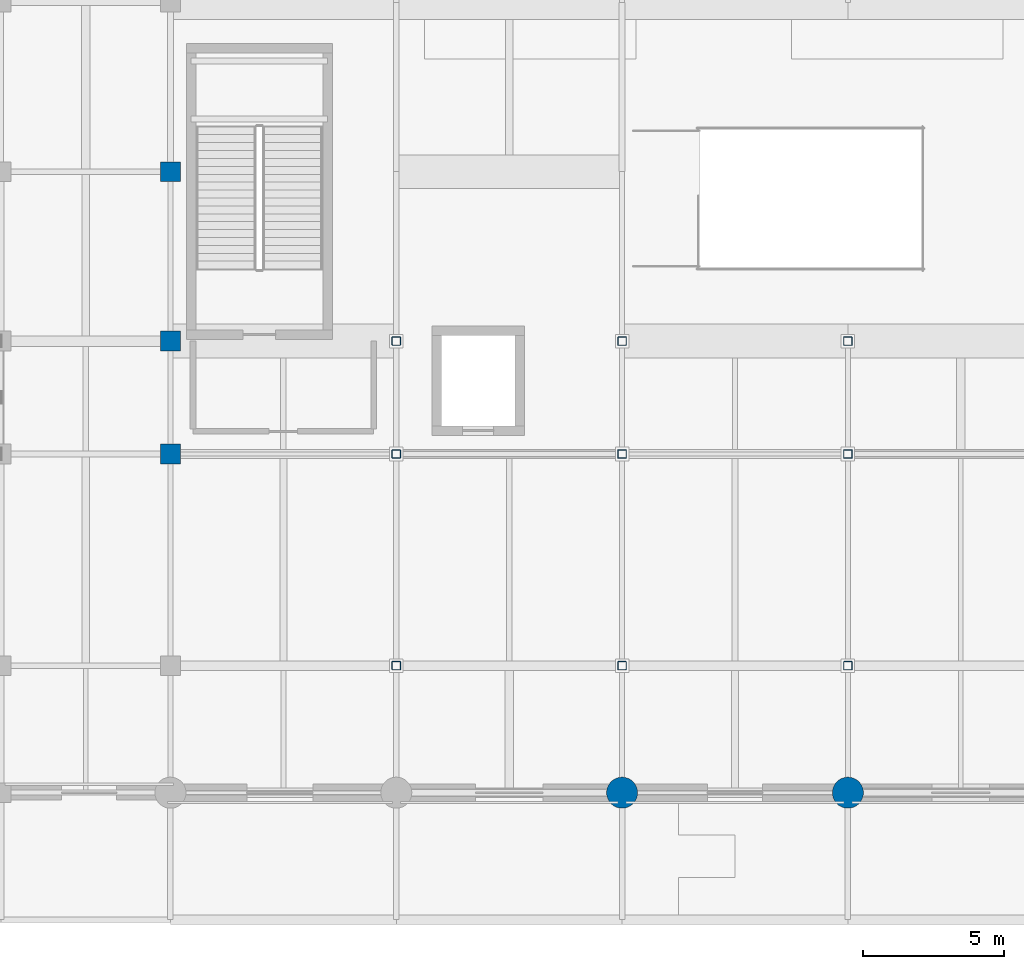
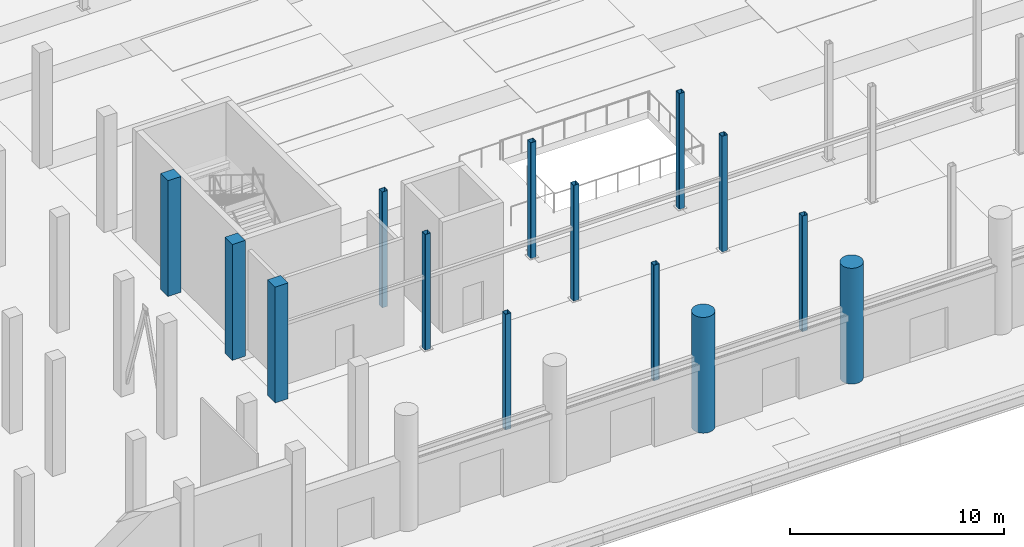
# One storey, part 2 of 140: 14 columns.
"""IFC4 building model written with IfcOpenShell, lengths in metres."""

import ifcopenshell
import ifcopenshell.guid

model = None  # the IFC model being written
_history = None  # IfcOwnerHistory: only IFC2X3 demands one
_inside = {}  # id of a spatial element -> (the spatial element, [elements in it])
_under = {}  # id of a project, library or spatial element -> (it, [spatial elements below it])
_declared = {}  # id of a project -> (the project, [libraries it declares])
_typed = {}  # id of a type object -> (the type object, [elements of that type])
_made_of = {}  # id of a material, layer set ... -> (it, [elements and type objects made of it])


def new_model(schema):
    """Start an empty IFC model of exactly this schema.

    Asked for "IFC4X3", IfcOpenShell would pick the latest addendum, in which some entities
    have other attributes; the version numbers below select the first issue.
    IFC2X3 requires an IfcOwnerHistory on every rooted entity: one is made here for all.
    """
    global model, _history
    if schema == "IFC4X3":
        model = ifcopenshell.file(schema_version=(4, 3, 0, 0))
    else:
        model = ifcopenshell.file(schema=schema)
    _inside.clear()
    _under.clear()
    _declared.clear()
    _typed.clear()
    _made_of.clear()
    _history = None
    if model.schema == "IFC2X3":
        org = make("IfcOrganization", Name="unknown")
        user = make(
            "IfcPersonAndOrganization",
            ThePerson=make("IfcPerson", FamilyName="unknown"),
            TheOrganization=org,
        )
        app = make(
            "IfcApplication",
            ApplicationDeveloper=org,
            Version="unknown",
            ApplicationFullName="unknown",
            ApplicationIdentifier="unknown",
        )
        _history = make(
            "IfcOwnerHistory",
            OwningUser=user,
            OwningApplication=app,
            ChangeAction="ADDED",
            CreationDate=0,
        )
    return model


def make(cls, **values):
    """One entity of the class cls with the attributes given. An attribute that is None is left unset."""
    return model.create_entity(
        cls, **{name: value for name, value in values.items() if value is not None}
    )


def rooted(cls, **values):
    """An entity with a GlobalId (a new one), such as an element, a storey or a relation."""
    return make(cls, GlobalId=ifcopenshell.guid.new(), OwnerHistory=_history, **values)


def si_unit(unit_type, name, prefix=None):
    """IfcSIUnit, for example si_unit("LENGTHUNIT", "METRE", prefix="MILLI")."""
    return make("IfcSIUnit", UnitType=unit_type, Prefix=prefix, Name=name)


def assignment(units):
    """IfcUnitAssignment: the units of a project."""
    return None if units is None else make("IfcUnitAssignment", Units=units)


def point(xyz):
    """IfcCartesianPoint."""
    return None if xyz is None else make("IfcCartesianPoint", Coordinates=xyz)


def direction(xyz):
    """IfcDirection."""
    return None if xyz is None else make("IfcDirection", DirectionRatios=xyz)


def frame(location, z_axis=None, x_axis=None):
    """IfcAxis2Placement3D, a coordinate frame: its origin and axes. An axis left out is left unset."""
    return make(
        "IfcAxis2Placement3D",
        Location=point(location),
        Axis=direction(z_axis),
        RefDirection=direction(x_axis),
    )


def frame_2d(location, x_axis=None):
    """IfcAxis2Placement2D, a coordinate frame in the plane: its origin and x axis."""
    return make(
        "IfcAxis2Placement2D", Location=point(location), RefDirection=direction(x_axis)
    )


def origin():
    """The frame at (0, 0, 0) with its axes left unset."""
    return frame((0.0, 0.0, 0.0))


def origin_2d():
    """The frame at (0, 0) in the plane with its x axis left unset."""
    return frame_2d((0.0, 0.0))


def place(relative_to, where):
    """IfcLocalPlacement: puts the frame where relative to a parent placement (None: the world)."""
    return make(
        "IfcLocalPlacement", PlacementRelTo=relative_to, RelativePlacement=where
    )


def context(
    kind, dimensions, precision=None, world=None, true_north=None, identifier=None
):
    """IfcGeometricRepresentationContext, for example the 3D "Model" context."""
    return make(
        "IfcGeometricRepresentationContext",
        ContextIdentifier=identifier,
        ContextType=kind,
        CoordinateSpaceDimension=dimensions,
        Precision=precision,
        WorldCoordinateSystem=world,
        TrueNorth=true_north,
    )


def subcontext(parent, identifier, kind, view, scale=None):
    """IfcGeometricRepresentationSubContext, for example "Body" below "Model"."""
    return make(
        "IfcGeometricRepresentationSubContext",
        ContextIdentifier=identifier,
        ContextType=kind,
        ParentContext=parent,
        TargetScale=scale,
        TargetView=view,
    )


def project(units=None, contexts=None):
    """IfcProject with its units and contexts."""
    return rooted(
        "IfcProject",
        Name="project",
        RepresentationContexts=contexts,
        UnitsInContext=assignment(units),
    )


def spatial(cls, under=None, at=None, **own):
    """A site, building, storey or space (cls), placed at a placement, below another one or the project."""
    s = rooted(cls, ObjectPlacement=at, **own)
    if under is not None:
        _under.setdefault(under.id(), (under, []))[1].append(s)
    return s


def profile(cls, at=None, kind="AREA", **sizes):
    """A parametric profile (cls). Its sizes go by their IFC names, for example OverallWidth=200.0."""
    return make(cls, ProfileType=kind, Position=at, **sizes)


def rectangle(**sizes):
    """IfcRectangleProfileDef."""
    return profile("IfcRectangleProfileDef", **sizes)


def hollow_rectangle(**sizes):
    """IfcRectangleHollowProfileDef."""
    return profile("IfcRectangleHollowProfileDef", **sizes)


def circle(**sizes):
    """IfcCircleProfileDef."""
    return profile("IfcCircleProfileDef", **sizes)


def extrude(swept, where, along, depth):
    """IfcExtrudedAreaSolid: the profile swept, set in the frame where, extruded along a direction by depth."""
    return make(
        "IfcExtrudedAreaSolid",
        SweptArea=swept,
        Position=where,
        ExtrudedDirection=direction(along),
        Depth=depth,
    )


def shape(context_of_items, identifier, shape_type, items):
    """IfcShapeRepresentation: the items that make up one representation, for example the "Body"."""
    return make(
        "IfcShapeRepresentation",
        ContextOfItems=context_of_items,
        RepresentationIdentifier=identifier,
        RepresentationType=shape_type,
        Items=items,
    )


def material(Name=None, Category=None):
    """IfcMaterial."""
    return make("IfcMaterial", Name=Name, Category=Category)


def material_profile(
    of_material, cross_section, Name=None, Category=None, Priority=None
):
    """IfcMaterialProfile: a cross section and its material."""
    return make(
        "IfcMaterialProfile",
        Name=Name,
        Material=of_material,
        Profile=cross_section,
        Priority=Priority,
        Category=Category,
    )


def profile_set(profiles, Name=None, composite=None):
    """IfcMaterialProfileSet."""
    return make(
        "IfcMaterialProfileSet",
        Name=Name,
        MaterialProfiles=profiles,
        CompositeProfile=composite,
    )


def made_of(thing, what):
    """Note that an element or type object is made of a material, layer set ...; save() writes the relation."""
    if what is not None:
        _made_of.setdefault(what.id(), (what, []))[1].append(thing)
    return thing


def type_object(cls, material=None, **own):
    """A type object (cls), such as IfcWallType, which elements share."""
    return made_of(rooted(cls, **own), material)


def element(
    cls,
    number,
    at=None,
    inside=None,
    cuts=None,
    type_object=None,
    material=None,
    context=None,
    identifier="Body",
    shape_type=None,
    held_by="IfcProductDefinitionShape",
    body=None,
    shapes=None,
    **own,
):
    """One element of the class cls, such as IfcWall. Its Tag is "e" and its number.

    at: its placement. inside: the storey or other place that contains it. cuts: it is an
    opening in that element (IfcRelVoidsElement). A single representation is given by context,
    identifier, shape_type and body (its items); several are given by shapes. held_by: the class
    of the entity that holds the representations. save() writes the other relations.
    """
    e = rooted(cls, Tag="e%d" % number, ObjectPlacement=at, **own)
    if body is not None:
        shapes = [shape(context, identifier, shape_type, body)]
    if shapes is not None:
        e.Representation = make(held_by, Representations=shapes)
    if inside is not None:
        _inside.setdefault(inside.id(), (inside, []))[1].append(e)
    if cuts is not None:
        rooted(
            "IfcRelVoidsElement", RelatingBuildingElement=cuts, RelatedOpeningElement=e
        )
    if type_object is not None:
        _typed.setdefault(type_object.id(), (type_object, []))[1].append(e)
    return made_of(e, material)


def aggregate(whole, parts):
    """IfcRelAggregates: a whole, such as a stair, and the parts it consists of."""
    return rooted("IfcRelAggregates", RelatingObject=whole, RelatedObjects=parts)


def save(model, path):
    """Write the relations noted so far, then the file.

    IfcRelAggregates (storeys below a building ...), IfcRelContainedInSpatialStructure (elements
    in a storey), IfcRelDefinesByType, IfcRelAssociatesMaterial and IfcRelDeclares: one each for
    every whole, place, type object, material and project.
    """
    for whole, parts in _under.values():
        aggregate(whole, parts)
    for where, things in _inside.values():
        rooted(
            "IfcRelContainedInSpatialStructure",
            RelatedElements=things,
            RelatingStructure=where,
        )
    for kind, things in _typed.values():
        rooted("IfcRelDefinesByType", RelatedObjects=things, RelatingType=kind)
    for what, things in _made_of.values():
        rooted("IfcRelAssociatesMaterial", RelatedObjects=things, RelatingMaterial=what)
    for by, libraries in _declared.values():
        rooted("IfcRelDeclares", RelatingContext=by, RelatedDefinitions=libraries)
    model.write(path)


model = new_model("IFC4")

# Units and contexts
model_context = context("Model", 3, precision=1e-05, world=origin(), true_north=direction((0.0, 1.0)))
body_context = subcontext(model_context, "Body", "Model", "MODEL_VIEW")
ifc_project = project(units=[si_unit("LENGTHUNIT", "METRE"), si_unit("AREAUNIT", "SQUARE_METRE"), si_unit("VOLUMEUNIT", "CUBIC_METRE"), si_unit("PLANEANGLEUNIT", "RADIAN"), si_unit("MASSUNIT", "GRAM", prefix="KILO")], contexts=[model_context])

# Site, building, storey
site_placement = place(None, origin())
site = spatial("IfcSite", under=ifc_project, at=site_placement, CompositionType="ELEMENT")
building_placement = place(site_placement, origin())
building = spatial("IfcBuilding", under=site, at=building_placement, Name="Verrall Gate Interchange", CompositionType="ELEMENT")
storey_placement = place(building_placement, origin())
storey = spatial("IfcBuildingStorey", under=building, at=storey_placement, Name="L01", CompositionType="ELEMENT", Elevation=0.0)

# Columns
ifc_material_1 = material(Name="Concrete CSA A23.1 40 MPa (Class N)", Category="concrete")
ifc_material_profile_1 = material_profile(ifc_material_1, rectangle(XDim=0.699951171875, YDim=0.699951171875, at=origin_2d()), Name="RC700x700")
ifc_profile_set_1 = profile_set([ifc_material_profile_1], Name="Concrete CSA A23.1 40 MPa (Class N)")
column_type_1 = type_object("IfcColumnType", Name="C-03 Column RC700x700", PredefinedType="COLUMN", material=ifc_profile_set_1)
for number, where, z_axis, x_axis, name in (
    (1, (36.0, 12.0, 0.0), (0.0, 0.0, 1.0), (1.0, 0.0, 0.0), "L01 Column COL-L01-0732 (C-03)"),
    (2, (36.0, 16.0, 0.0), (0.0, 0.0, 1.0), (1.0, 0.0, 0.0), "L01 Column COL-L01-0740 (C-03)"),
    (3, (36.0, 22.0, 0.0), (0.0, 0.0, 1.0), (1.0, 0.0, 0.0), "L01 Column COL-L01-0748 (C-03)"),
):
    element("IfcColumn", number, at=place(storey_placement, frame(where, z_axis=z_axis, x_axis=x_axis)), inside=storey, type_object=column_type_1, Name=name, PredefinedType="COLUMN", context=body_context, shape_type="SweptSolid", body=[
        extrude(rectangle(XDim=0.699951171875, YDim=0.699951171875, at=origin_2d()), origin(), (0.0, 0.0, 1.0), 6.60009765625),
    ])
ifc_material_2 = material(Name="Concrete CSA A23.1 40 MPa (Class C-1)", Category="concrete")
ifc_material_profile_2 = material_profile(ifc_material_2, circle(Radius=0.550048828125, at=origin_2d()), Name="RC1100D")
ifc_profile_set_2 = profile_set([ifc_material_profile_2], Name="Concrete CSA A23.1 40 MPa (Class C-1)")
column_type_2 = type_object("IfcColumnType", Name="C-06 Column RC1100D", PredefinedType="COLUMN", material=ifc_profile_set_2)
for number, where, z_axis, x_axis, name in (
    (4, (52.0, 0.0, 0.0), (0.0, 0.0, 1.0), (1.0, 0.0, 0.0), "L01 Column COL-L01-0866 (C-06)"),
    (5, (60.0, 0.0, 0.0), (0.0, 0.0, 1.0), (1.0, 0.0, 0.0), "L01 Column COL-L01-0904 (C-06)"),
):
    element("IfcColumn", number, at=place(storey_placement, frame(where, z_axis=z_axis, x_axis=x_axis)), inside=storey, type_object=column_type_2, Name=name, PredefinedType="COLUMN", context=body_context, shape_type="SweptSolid", body=[
        extrude(circle(Radius=0.550048828125, at=origin_2d()), origin(), (0.0, 0.0, 1.0), 6.60009765625),
    ])
ifc_material_3 = material(Name="Structural Steel CSA G40.21 350WT Cat 4", Category="steel")
ifc_material_profile_3 = material_profile(ifc_material_3, hollow_rectangle(XDim=0.304931640625, YDim=0.304931640625, WallThickness=0.0126953125, InnerFilletRadius=0.0126953125, OuterFilletRadius=0.025390625, at=origin_2d()), Name="HSS305x305x13")
ifc_profile_set_3 = profile_set([ifc_material_profile_3], Name="Structural Steel CSA G40.21 350WT Cat 4")
column_type_3 = type_object("IfcColumnType", Name="C-12 Column HSS305x305x13", PredefinedType="COLUMN", material=ifc_profile_set_3)
for number, where, z_axis, x_axis, name in (
    (6, (44.0, 4.5, 0.0), (0.0, 0.0, 1.0), (1.0, 0.0, 0.0), "L01 Column COL-L01-0832 (C-12)"),
    (7, (44.0, 12.0, 0.0), (0.0, 0.0, 1.0), (1.0, 0.0, 0.0), "L01 Column COL-L01-0836 (C-12)"),
    (8, (44.0, 16.0, 0.0), (0.0, 0.0, 1.0), (1.0, 0.0, 0.0), "L01 Column COL-L01-0840 (C-12)"),
    (9, (52.0, 4.5, 0.0), (0.0, 0.0, 1.0), (1.0, 0.0, 0.0), "L01 Column COL-L01-0870 (C-12)"),
    (10, (52.0, 12.0, 0.0), (0.0, 0.0, 1.0), (1.0, 0.0, 0.0), "L01 Column COL-L01-0874 (C-12)"),
    (11, (52.0, 16.0, 0.0), (0.0, 0.0, 1.0), (1.0, 0.0, 0.0), "L01 Column COL-L01-0878 (C-12)"),
    (12, (60.0, 4.5, 0.0), (0.0, 0.0, 1.0), (1.0, 0.0, 0.0), "L01 Column COL-L01-0908 (C-12)"),
    (13, (60.0, 12.0, 0.0), (0.0, 0.0, 1.0), (1.0, 0.0, 0.0), "L01 Column COL-L01-0912 (C-12)"),
    (14, (60.0, 16.0, 0.0), (0.0, 0.0, 1.0), (1.0, 0.0, 0.0), "L01 Column COL-L01-0916 (C-12)"),
):
    element("IfcColumn", number, at=place(storey_placement, frame(where, z_axis=z_axis, x_axis=x_axis)), inside=storey, type_object=column_type_3, Name=name, PredefinedType="COLUMN", context=body_context, shape_type="SweptSolid", body=[
        extrude(hollow_rectangle(XDim=0.304931640625, YDim=0.304931640625, WallThickness=0.0126953125, InnerFilletRadius=0.0126953125, OuterFilletRadius=0.025390625, at=origin_2d()), origin(), (0.0, 0.0, 1.0), 6.60009765625),
    ])

save(model, "model.ifc")
